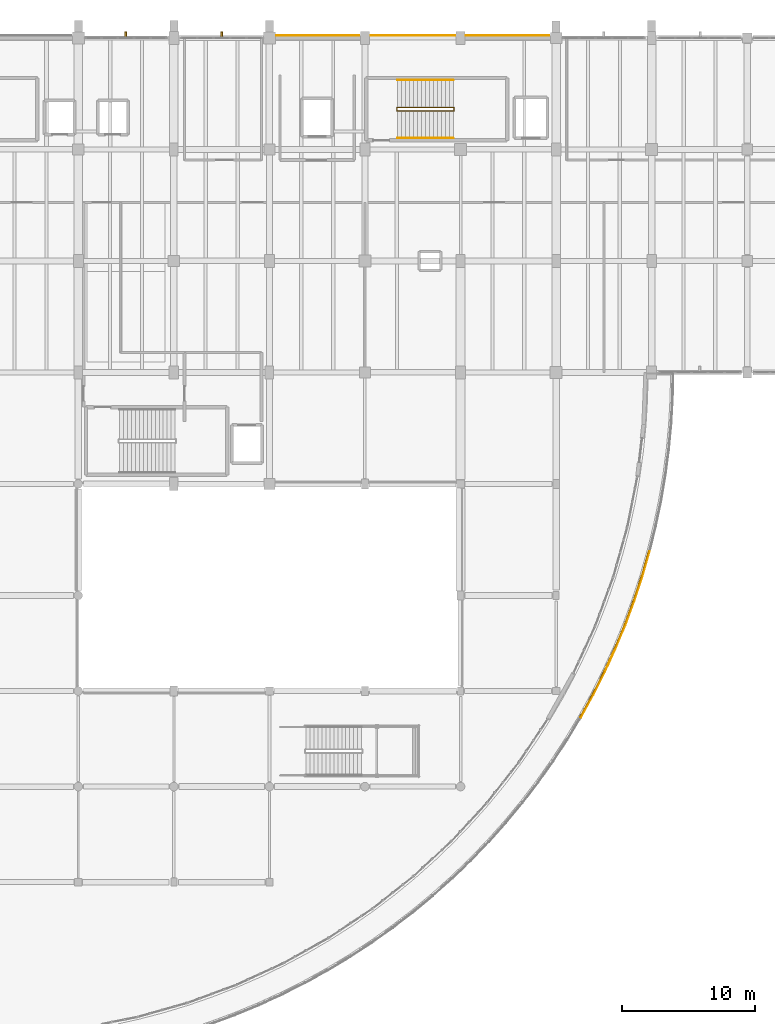
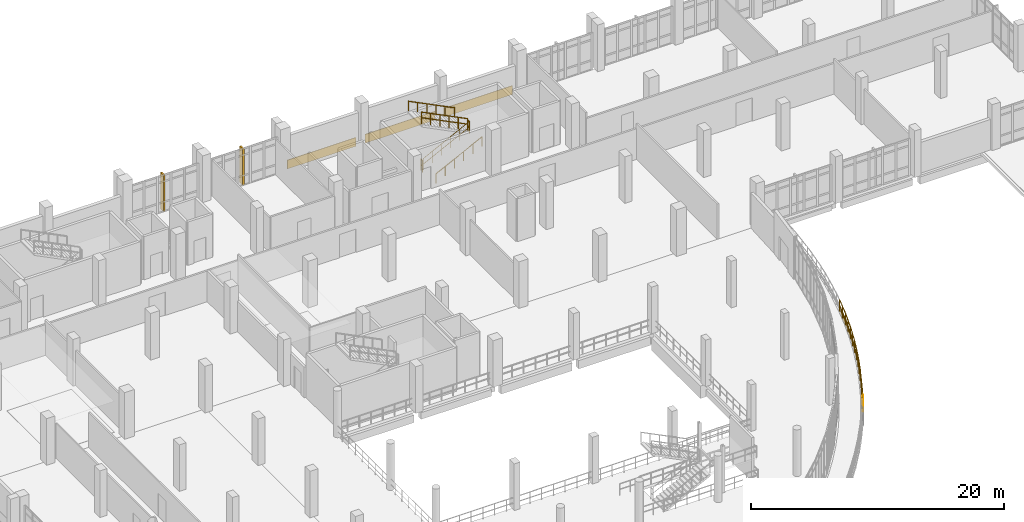
# One storey, part 131 of 134: 13 railings, 10 coverings, 2 shading devices.
"""IFC4 building model written with IfcOpenShell, lengths in metres."""

from ifc_helpers import new_model, si_unit, direction, frame, origin, origin_2d, place, context, subcontext, project, spatial, rectangle, circle, extrude, material, layer, layer_set, type_object, element, save


model = new_model("IFC4")

# Units and contexts
model_context = context("Model", 3, precision=1e-05, world=origin(), true_north=direction((0.0, 1.0)))
body_context = subcontext(model_context, "Body", "Model", "MODEL_VIEW")
ifc_project = project(units=[si_unit("LENGTHUNIT", "METRE"), si_unit("AREAUNIT", "SQUARE_METRE"), si_unit("VOLUMEUNIT", "CUBIC_METRE"), si_unit("PLANEANGLEUNIT", "RADIAN"), si_unit("MASSUNIT", "GRAM", prefix="KILO")], contexts=[model_context])

# Site, building, storey
site_placement = place(None, origin())
site = spatial("IfcSite", under=ifc_project, at=site_placement, CompositionType="ELEMENT")
building_placement = place(site_placement, origin())
building = spatial("IfcBuilding", under=site, at=building_placement, Name="Kalluvel Institute of Natural Sciences", CompositionType="ELEMENT")
storey_placement = place(building_placement, frame((0.0, 0.0, 5.39990234375)))
storey = spatial("IfcBuildingStorey", under=building, at=storey_placement, Name="L01", CompositionType="ELEMENT", Elevation=5.39990234375)

# Coverings
ifc_material_1 = material(Name="Sadarahalli Grey Granite Ashlar Concrete M40", Category="masonry")
ifc_layer = layer(ifc_material_1, 0.044921875)
ifc_layer_set = layer_set([ifc_layer], Name="Sadarahalli Grey Granite Ashlar Concrete M40")
covering_type = type_object("IfcCoveringType", Name="COV-CLAD-STONE", PredefinedType="CLADDING", material=ifc_layer_set)
covering_1_placement = place(storey_placement, frame((60.85009765625, 128.179931640625, 0.025146484375), z_axis=(0.0, 0.0, 1.0), x_axis=(1.0, 0.0, 0.0)))
element("IfcCovering", 1, at=covering_1_placement, inside=storey, type_object=covering_type, Name="L01 Sadarahalli granite plinth spandrel cladding 18", PredefinedType="CLADDING", context=body_context, shape_type="SweptSolid", body=[
    extrude(rectangle(XDim=6.239990234375, YDim=0.044921875, at=origin_2d()), origin(), (0.0, 0.0, 1.0), 0.85009765625),
])
covering_2_placement = place(storey_placement, frame((68.012451171875, 128.179931640625, 0.025146484375), z_axis=(0.0, 0.0, 1.0), x_axis=(1.0, 0.0, 0.0)))
element("IfcCovering", 2, at=covering_2_placement, inside=storey, type_object=covering_type, Name="L01 Sadarahalli granite plinth spandrel cladding 19", PredefinedType="CLADDING", context=body_context, shape_type="SweptSolid", body=[
    extrude(rectangle(XDim=6.364990234375, YDim=0.044921875, at=origin_2d()), origin(), (0.0, 0.0, 1.0), 0.85009765625),
])
covering_3_placement = place(storey_placement, frame((75.14990234375, 128.179931640625, 0.025146484375), z_axis=(0.0, 0.0, 1.0), x_axis=(1.0, 0.0, 0.0)))
element("IfcCovering", 3, at=covering_3_placement, inside=storey, type_object=covering_type, Name="L01 Sadarahalli granite plinth spandrel cladding 20", PredefinedType="CLADDING", context=body_context, shape_type="SweptSolid", body=[
    extrude(rectangle(XDim=6.2900390625, YDim=0.044921875, at=origin_2d()), origin(), (0.0, 0.0, 1.0), 0.85009765625),
])
for number, where, z_axis, x_axis, name in (
    (4, (81.1123046875, 77.646240234375, -0.31982421875), (0.0, 0.0, 1.0), (0.483740709141, 0.875211360941, 0.0), "L01 curved terrace Sadarahalli stone spandrel fascia 231"),
    (5, (82.02099609375, 79.365478515625, -0.31982421875), (0.0, 0.0, 1.0), (0.450721748209, 0.892664497833, 0.0), "L01 curved terrace Sadarahalli stone spandrel fascia 232"),
    (6, (82.864990234375, 81.11767578125, -0.31982421875), (0.0, 0.0, 1.0), (0.416915457315, 0.908945268678, 0.0), "L01 curved terrace Sadarahalli stone spandrel fascia 233"),
    (7, (83.642578125, 82.900146484375, -0.31982421875), (0.0, 0.0, 1.0), (0.382683432365, 0.923879532511, 0.0), "L01 curved terrace Sadarahalli stone spandrel fascia 234"),
    (8, (84.35302734375, 84.71044921875, -0.31982421875), (0.0, 0.0, 1.0), (0.347917616161, 0.937525110258, 0.0), "L01 curved terrace Sadarahalli stone spandrel fascia 235"),
    (9, (84.995361328125, 86.5458984375, -0.31982421875), (0.0, 0.0, 1.0), (0.312666502279, 0.949862968197, 0.0), "L01 curved terrace Sadarahalli stone spandrel fascia 236"),
    (10, (85.568603515625, 88.404296875, -0.31982421875), (0.0, 0.0, 1.0), (0.276811552523, 0.960924224062, 0.0), "L01 curved terrace Sadarahalli stone spandrel fascia 237"),
):
    element("IfcCovering", number, at=place(storey_placement, frame(where, z_axis=z_axis, x_axis=x_axis)), inside=storey, type_object=covering_type, Name=name, PredefinedType="CLADDING", context=body_context, shape_type="SweptSolid", body=[
        extrude(rectangle(XDim=1.90478515625, YDim=0.054931640625, at=origin_2d()), origin(), (0.0, 0.0, 1.0), 0.47998046875),
    ])

# Railings
ifc_material_2 = material(Name="Steel E350 Grade 350", Category="steel")
railing_type_1 = type_object("IfcRailingType", Name="RL-BAL-EXT", PredefinedType="BALUSTRADE", material=ifc_material_2)
railing_1_placement = place(storey_placement, frame((80.57275390625, 76.8349609375, 0.0)))
element("IfcRailing", 11, at=railing_1_placement, inside=storey, type_object=railing_type_1, Name="L01 curved atrium terrace balustrade", PredefinedType="BALUSTRADE", context=body_context, shape_type="SweptSolid", body=[
    extrude(circle(Radius=0.02392578125, at=origin_2d()), frame((0.0, 0.0, 1.09619140625), z_axis=(0.483741864388, 0.87521072242, 0.0), x_axis=(-0.87521072242, 0.483741864388, 0.0)), (0.0, 0.0, 1.0), 1.942138671875),
    extrude(circle(Radius=0.02392578125, at=origin_2d()), frame((0.0, 0.0, 0.56005859375), z_axis=(0.483741864388, 0.87521072242, 0.0), x_axis=(-0.87521072242, 0.483741864388, 0.0)), (0.0, 0.0, 1.0), 1.942138671875),
    extrude(circle(Radius=0.02099609375, at=origin_2d()), origin(), (0.0, 0.0, 1.0), 1.072021484375),
    extrude(circle(Radius=0.02099609375, at=origin_2d()), frame((0.4697265625, 0.849853515625, 0.0)), (0.0, 0.0, 1.0), 1.072021484375),
    extrude(circle(Radius=0.02099609375, at=origin_2d()), frame((0.939453125, 1.69970703125, 0.0)), (0.0, 0.0, 1.0), 1.072021484375),
])
railing_2_placement = place(storey_placement, frame((81.51220703125, 78.53466796875, 0.0)))
element("IfcRailing", 12, at=railing_2_placement, inside=storey, type_object=railing_type_1, Name="L01 curved atrium terrace balustrade", PredefinedType="BALUSTRADE", context=body_context, shape_type="SweptSolid", body=[
    extrude(circle(Radius=0.02392578125, at=origin_2d()), frame((0.0, 0.0, 1.09619140625), z_axis=(0.450579712738, 0.89273619982, 0.0), x_axis=(-0.89273619982, 0.450579712738, 0.0)), (0.0, 0.0, 1.0), 1.94189453125),
    extrude(circle(Radius=0.02392578125, at=origin_2d()), frame((0.0, 0.0, 0.56005859375), z_axis=(0.450579712738, 0.89273619982, 0.0), x_axis=(-0.89273619982, 0.450579712738, 0.0)), (0.0, 0.0, 1.0), 1.94189453125),
    extrude(circle(Radius=0.02099609375, at=origin_2d()), origin(), (0.0, 0.0, 1.0), 1.072021484375),
    extrude(circle(Radius=0.02099609375, at=origin_2d()), frame((0.4375, 0.86669921875, 0.0)), (0.0, 0.0, 1.0), 1.072021484375),
    extrude(circle(Radius=0.02099609375, at=origin_2d()), frame((0.875, 1.733642578125, 0.0)), (0.0, 0.0, 1.0), 1.072021484375),
])
railing_3_placement = place(storey_placement, frame((82.38720703125, 80.268310546875, 0.0)))
element("IfcRailing", 13, at=railing_3_placement, inside=storey, type_object=railing_type_1, Name="L01 curved atrium terrace balustrade", PredefinedType="BALUSTRADE", context=body_context, shape_type="SweptSolid", body=[
    extrude(circle(Radius=0.02392578125, at=origin_2d()), frame((0.0, 0.0, 1.09619140625), z_axis=(0.416944681438, 0.908931863574, 0.0), x_axis=(-0.908931863574, 0.416944681438, 0.0)), (0.0, 0.0, 1.0), 1.942138671875),
    extrude(circle(Radius=0.02392578125, at=origin_2d()), frame((0.0, 0.0, 0.56005859375), z_axis=(0.416944681438, 0.908931863574, 0.0), x_axis=(-0.908931863574, 0.416944681438, 0.0)), (0.0, 0.0, 1.0), 1.942138671875),
    extrude(circle(Radius=0.02099609375, at=origin_2d()), origin(), (0.0, 0.0, 1.0), 1.072021484375),
    extrude(circle(Radius=0.02099609375, at=origin_2d()), frame((0.40478515625, 0.8828125, 0.0)), (0.0, 0.0, 1.0), 1.072021484375),
    extrude(circle(Radius=0.02099609375, at=origin_2d()), frame((0.809814453125, 1.765380859375, 0.0)), (0.0, 0.0, 1.0), 1.072021484375),
])
railing_4_placement = place(storey_placement, frame((83.197021484375, 82.03369140625, 0.0)))
element("IfcRailing", 14, at=railing_4_placement, inside=storey, type_object=railing_type_1, Name="L01 curved atrium terrace balustrade", PredefinedType="BALUSTRADE", context=body_context, shape_type="SweptSolid", body=[
    extrude(circle(Radius=0.02392578125, at=origin_2d()), frame((0.0, 0.0, 1.09619140625), z_axis=(0.382677480176, 0.923881997966, 0.0), x_axis=(-0.923881997966, 0.382677480176, 0.0)), (0.0, 0.0, 1.0), 1.94189453125),
    extrude(circle(Radius=0.02392578125, at=origin_2d()), frame((0.0, 0.0, 0.56005859375), z_axis=(0.382677480176, 0.923881997966, 0.0), x_axis=(-0.923881997966, 0.382677480176, 0.0)), (0.0, 0.0, 1.0), 1.94189453125),
    extrude(circle(Radius=0.02099609375, at=origin_2d()), origin(), (0.0, 0.0, 1.0), 1.072021484375),
    extrude(circle(Radius=0.02099609375, at=origin_2d()), frame((0.37158203125, 0.89697265625, 0.0)), (0.0, 0.0, 1.0), 1.072021484375),
    extrude(circle(Radius=0.02099609375, at=origin_2d()), frame((0.7431640625, 1.794189453125, 0.0)), (0.0, 0.0, 1.0), 1.072021484375),
])
railing_5_placement = place(storey_placement, frame((83.940185546875, 83.827880859375, 0.0)))
element("IfcRailing", 15, at=railing_5_placement, inside=storey, type_object=railing_type_1, Name="L01 curved atrium terrace balustrade", PredefinedType="BALUSTRADE", context=body_context, shape_type="SweptSolid", body=[
    extrude(circle(Radius=0.02392578125, at=origin_2d()), frame((0.0, 0.0, 1.09619140625), z_axis=(0.347842469105, 0.937552994068, 0.0), x_axis=(-0.937552994068, 0.347842469105, 0.0)), (0.0, 0.0, 1.0), 1.942138671875),
    extrude(circle(Radius=0.02392578125, at=origin_2d()), frame((0.0, 0.0, 0.56005859375), z_axis=(0.347842469105, 0.937552994068, 0.0), x_axis=(-0.937552994068, 0.347842469105, 0.0)), (0.0, 0.0, 1.0), 1.942138671875),
    extrude(circle(Radius=0.02099609375, at=origin_2d()), origin(), (0.0, 0.0, 1.0), 1.072021484375),
    extrude(circle(Radius=0.02099609375, at=origin_2d()), frame((0.337890625, 0.910400390625, 0.0)), (0.0, 0.0, 1.0), 1.072021484375),
    extrude(circle(Radius=0.02099609375, at=origin_2d()), frame((0.675537109375, 1.82080078125, 0.0)), (0.0, 0.0, 1.0), 1.072021484375),
])
railing_6_placement = place(storey_placement, frame((84.61572265625, 85.648681640625, 0.0)))
element("IfcRailing", 16, at=railing_6_placement, inside=storey, type_object=railing_type_1, Name="L01 curved atrium terrace balustrade", PredefinedType="BALUSTRADE", context=body_context, shape_type="SweptSolid", body=[
    extrude(circle(Radius=0.02392578125, at=origin_2d()), frame((0.0, 0.0, 1.09619140625), z_axis=(0.3126427532, 0.949870785355, 0.0), x_axis=(-0.949870785355, 0.3126427532, 0.0)), (0.0, 0.0, 1.0), 1.942138671875),
    extrude(circle(Radius=0.02392578125, at=origin_2d()), frame((0.0, 0.0, 0.56005859375), z_axis=(0.3126427532, 0.949870785355, 0.0), x_axis=(-0.949870785355, 0.3126427532, 0.0)), (0.0, 0.0, 1.0), 1.942138671875),
    extrude(circle(Radius=0.02099609375, at=origin_2d()), origin(), (0.0, 0.0, 1.0), 1.072021484375),
    extrude(circle(Radius=0.02099609375, at=origin_2d()), frame((0.3037109375, 0.92236328125, 0.0)), (0.0, 0.0, 1.0), 1.072021484375),
    extrude(circle(Radius=0.02099609375, at=origin_2d()), frame((0.607177734375, 1.8447265625, 0.0)), (0.0, 0.0, 1.0), 1.072021484375),
])
railing_7_placement = place(storey_placement, frame((85.222900390625, 87.493408203125, 0.0)))
element("IfcRailing", 17, at=railing_7_placement, inside=storey, type_object=railing_type_1, Name="L01 curved atrium terrace balustrade", PredefinedType="BALUSTRADE", context=body_context, shape_type="SweptSolid", body=[
    extrude(circle(Radius=0.02392578125, at=origin_2d()), frame((0.0, 0.0, 1.09619140625), z_axis=(0.276812474678, 0.960923958419, 0.0), x_axis=(-0.960923958419, 0.276812474678, 0.0)), (0.0, 0.0, 1.0), 1.942138671875),
    extrude(circle(Radius=0.02392578125, at=origin_2d()), frame((0.0, 0.0, 0.56005859375), z_axis=(0.276812474678, 0.960923958419, 0.0), x_axis=(-0.960923958419, 0.276812474678, 0.0)), (0.0, 0.0, 1.0), 1.942138671875),
    extrude(circle(Radius=0.02099609375, at=origin_2d()), origin(), (0.0, 0.0, 1.0), 1.072021484375),
    extrude(circle(Radius=0.02099609375, at=origin_2d()), frame((0.268798828125, 0.93310546875, 0.0)), (0.0, 0.0, 1.0), 1.072021484375),
    extrude(circle(Radius=0.02099609375, at=origin_2d()), frame((0.53759765625, 1.8662109375, 0.0)), (0.0, 0.0, 1.0), 1.072021484375),
])
ifc_material_3 = material(Name="Galvanized Fire-Rated Steel", Category="steel")
railing_type_2 = type_object("IfcRailingType", Name="RL-GD-STAIR", PredefinedType="BALUSTRADE", material=ifc_material_3)
railing_8_placement = place(storey_placement, frame((66.85009765625, 122.510009765625, 0.150146484375)))
element("IfcRailing", 18, at=railing_8_placement, inside=storey, type_object=railing_type_2, Name="L01 ST2 stair guard 1", PredefinedType="BALUSTRADE", context=body_context, shape_type="SweptSolid", body=[
    extrude(circle(Radius=0.02392578125, at=origin_2d()), frame((0.0, 0.0, 1.09619140625), z_axis=(0.894437589381, 0.0, 0.447192798132), x_axis=(0.0, 1.0, 0.0)), (0.0, 0.0, 1.0), 4.695556640625),
    extrude(circle(Radius=0.02392578125, at=origin_2d()), frame((0.0, 0.0, 0.56005859375), z_axis=(0.894437589381, 0.0, 0.447192798132), x_axis=(0.0, 1.0, 0.0)), (0.0, 0.0, 1.0), 4.695556640625),
    extrude(circle(Radius=0.02099609375, at=origin_2d()), origin(), (0.0, 0.0, 1.0), 1.072021484375),
    extrude(circle(Radius=0.02099609375, at=origin_2d()), frame((0.840087890625, 0.0, 0.419921875)), (0.0, 0.0, 1.0), 1.072021484375),
    extrude(circle(Radius=0.02099609375, at=origin_2d()), frame((1.679931640625, 0.0, 0.83984375)), (0.0, 0.0, 1.0), 1.072021484375),
    extrude(circle(Radius=0.02099609375, at=origin_2d()), frame((2.52001953125, 0.0, 1.260009765625)), (0.0, 0.0, 1.0), 1.072021484375),
    extrude(circle(Radius=0.02099609375, at=origin_2d()), frame((3.35986328125, 0.0, 1.679931640625)), (0.0, 0.0, 1.0), 1.072021484375),
    extrude(circle(Radius=0.02099609375, at=origin_2d()), frame((4.199951171875, 0.0, 2.099853515625)), (0.0, 0.0, 1.0), 1.072021484375),
])
railing_9_placement = place(storey_placement, frame((71.10009765625, 122.4951171875, 2.25)))
element("IfcRailing", 19, at=railing_9_placement, inside=storey, type_object=railing_type_2, Name="L01 ST2 stair guard 2", PredefinedType="BALUSTRADE", context=body_context, shape_type="SweptSolid", body=[
    extrude(circle(Radius=0.02392578125, at=origin_2d()), frame((0.0, 0.0, 1.09619140625), z_axis=(0.0, 1.0, 0.0), x_axis=(-1.0, 0.0, 0.0)), (0.0, 0.0, 1.0), 0.27978515625),
    extrude(circle(Radius=0.02392578125, at=origin_2d()), frame((0.0, 0.0, 0.56005859375), z_axis=(0.0, 1.0, 0.0), x_axis=(-1.0, 0.0, 0.0)), (0.0, 0.0, 1.0), 0.27978515625),
    extrude(circle(Radius=0.02099609375, at=origin_2d()), origin(), (0.0, 0.0, 1.0), 1.072021484375),
    extrude(circle(Radius=0.02099609375, at=origin_2d()), frame((0.0, 0.27978515625, 0.0)), (0.0, 0.0, 1.0), 1.072021484375),
])
railing_10_placement = place(storey_placement, frame((71.050048828125, 122.760009765625, 2.400146484375)))
element("IfcRailing", 20, at=railing_10_placement, inside=storey, type_object=railing_type_2, Name="L01 ST2 stair guard 3", PredefinedType="BALUSTRADE", context=body_context, shape_type="SweptSolid", body=[
    extrude(circle(Radius=0.02392578125, at=origin_2d()), frame((0.0, 0.0, 1.09619140625), z_axis=(-0.894437589381, 0.0, 0.447192798132), x_axis=(0.0, -1.0, 0.0)), (0.0, 0.0, 1.0), 4.695556640625),
    extrude(circle(Radius=0.02392578125, at=origin_2d()), frame((0.0, 0.0, 0.56005859375), z_axis=(-0.894437589381, 0.0, 0.447192798132), x_axis=(0.0, -1.0, 0.0)), (0.0, 0.0, 1.0), 4.695556640625),
    extrude(circle(Radius=0.02099609375, at=origin_2d()), origin(), (0.0, 0.0, 1.0), 1.072021484375),
    extrude(circle(Radius=0.02099609375, at=origin_2d()), frame((-0.840087890625, 0.0, 0.419921875)), (0.0, 0.0, 1.0), 1.072021484375),
    extrude(circle(Radius=0.02099609375, at=origin_2d()), frame((-1.679931640625, 0.0, 0.83984375)), (0.0, 0.0, 1.0), 1.072021484375),
    extrude(circle(Radius=0.02099609375, at=origin_2d()), frame((-2.52001953125, 0.0, 1.260009765625)), (0.0, 0.0, 1.0), 1.072021484375),
    extrude(circle(Radius=0.02099609375, at=origin_2d()), frame((-3.35986328125, 0.0, 1.679931640625)), (0.0, 0.0, 1.0), 1.072021484375),
    extrude(circle(Radius=0.02099609375, at=origin_2d()), frame((-4.199951171875, 0.0, 2.099853515625)), (0.0, 0.0, 1.0), 1.072021484375),
])
railing_11_placement = place(storey_placement, frame((66.800048828125, 122.4951171875, 0.0)))
element("IfcRailing", 21, at=railing_11_placement, inside=storey, type_object=railing_type_2, Name="L01 ST2 stair guard 4", PredefinedType="BALUSTRADE", context=body_context, shape_type="SweptSolid", body=[
    extrude(circle(Radius=0.02392578125, at=origin_2d()), frame((0.0, 0.0, 1.09619140625), z_axis=(0.0, 1.0, 0.0), x_axis=(-1.0, 0.0, 0.0)), (0.0, 0.0, 1.0), 0.27978515625),
    extrude(circle(Radius=0.02392578125, at=origin_2d()), frame((0.0, 0.0, 0.56005859375), z_axis=(0.0, 1.0, 0.0), x_axis=(-1.0, 0.0, 0.0)), (0.0, 0.0, 1.0), 0.27978515625),
    extrude(circle(Radius=0.02099609375, at=origin_2d()), origin(), (0.0, 0.0, 1.0), 1.072021484375),
    extrude(circle(Radius=0.02099609375, at=origin_2d()), frame((0.0, 0.27978515625, 0.0)), (0.0, 0.0, 1.0), 1.072021484375),
])
railing_type_3 = type_object("IfcRailingType", Name="RL-HR-STAIR", PredefinedType="HANDRAIL", material=ifc_material_3)
railing_12_placement = place(storey_placement, frame((66.85009765625, 120.449951171875, 0.150146484375)))
element("IfcRailing", 22, at=railing_12_placement, inside=storey, type_object=railing_type_3, Name="L01 ST2 stair handrail 1", PredefinedType="HANDRAIL", context=body_context, shape_type="SweptSolid", body=[
    extrude(circle(Radius=0.02392578125, at=origin_2d()), frame((0.0, 0.0, 0.89599609375), z_axis=(0.894437589381, 0.0, 0.447192798132), x_axis=(0.0, 1.0, 0.0)), (0.0, 0.0, 1.0), 4.695556640625),
    extrude(circle(Radius=0.02099609375, at=origin_2d()), origin(), (0.0, 0.0, 1.0), 0.871826171875),
    extrude(circle(Radius=0.02099609375, at=origin_2d()), frame((0.840087890625, 0.0, 0.419921875)), (0.0, 0.0, 1.0), 0.871826171875),
    extrude(circle(Radius=0.02099609375, at=origin_2d()), frame((1.679931640625, 0.0, 0.83984375)), (0.0, 0.0, 1.0), 0.871826171875),
    extrude(circle(Radius=0.02099609375, at=origin_2d()), frame((2.52001953125, 0.0, 1.260009765625)), (0.0, 0.0, 1.0), 0.871826171875),
    extrude(circle(Radius=0.02099609375, at=origin_2d()), frame((3.35986328125, 0.0, 1.679931640625)), (0.0, 0.0, 1.0), 0.871826171875),
    extrude(circle(Radius=0.02099609375, at=origin_2d()), frame((4.199951171875, 0.0, 2.099853515625)), (0.0, 0.0, 1.0), 0.871826171875),
])
railing_13_placement = place(storey_placement, frame((71.050048828125, 124.820068359375, 2.400146484375)))
element("IfcRailing", 23, at=railing_13_placement, inside=storey, type_object=railing_type_3, Name="L01 ST2 stair handrail 2", PredefinedType="HANDRAIL", context=body_context, shape_type="SweptSolid", body=[
    extrude(circle(Radius=0.02392578125, at=origin_2d()), frame((0.0, 0.0, 0.89599609375), z_axis=(-0.894437589381, 0.0, 0.447192798132), x_axis=(0.0, -1.0, 0.0)), (0.0, 0.0, 1.0), 4.695556640625),
    extrude(circle(Radius=0.02099609375, at=origin_2d()), origin(), (0.0, 0.0, 1.0), 0.871826171875),
    extrude(circle(Radius=0.02099609375, at=origin_2d()), frame((-0.840087890625, 0.0, 0.419921875)), (0.0, 0.0, 1.0), 0.871826171875),
    extrude(circle(Radius=0.02099609375, at=origin_2d()), frame((-1.679931640625, 0.0, 0.83984375)), (0.0, 0.0, 1.0), 0.871826171875),
    extrude(circle(Radius=0.02099609375, at=origin_2d()), frame((-2.52001953125, 0.0, 1.260009765625)), (0.0, 0.0, 1.0), 0.871826171875),
    extrude(circle(Radius=0.02099609375, at=origin_2d()), frame((-3.35986328125, 0.0, 1.679931640625)), (0.0, 0.0, 1.0), 0.871826171875),
    extrude(circle(Radius=0.02099609375, at=origin_2d()), frame((-4.199951171875, 0.0, 2.099853515625)), (0.0, 0.0, 1.0), 0.871826171875),
])

# Shading devices
shading_device_type = type_object("IfcShadingDeviceType", Name="SHD-FIN-STONE", PredefinedType="USERDEFINED", material=ifc_material_1)
for number, where, z_axis, x_axis, name in (
    (24, (46.387451171875, 128.219970703125, 0.0), (0.0, 0.0, 1.0), (1.0, 0.0, 0.0), "L01 monsoon lancet shading fin 7"),
    (25, (53.612548828125, 128.219970703125, 0.0), (0.0, 0.0, 1.0), (1.0, 0.0, 0.0), "L01 monsoon lancet shading fin 8"),
):
    element("IfcShadingDevice", number, at=place(storey_placement, frame(where, z_axis=z_axis, x_axis=x_axis)), inside=storey, type_object=shading_device_type, Name=name, ObjectType="MONSOON FIN", PredefinedType="USERDEFINED", context=body_context, shape_type="SweptSolid", body=[
        extrude(rectangle(XDim=0.139892578125, YDim=0.47998046875, at=origin_2d()), origin(), (0.0, 0.0, 1.0), 3.530029296875),
    ])

save(model, "model.ifc")
